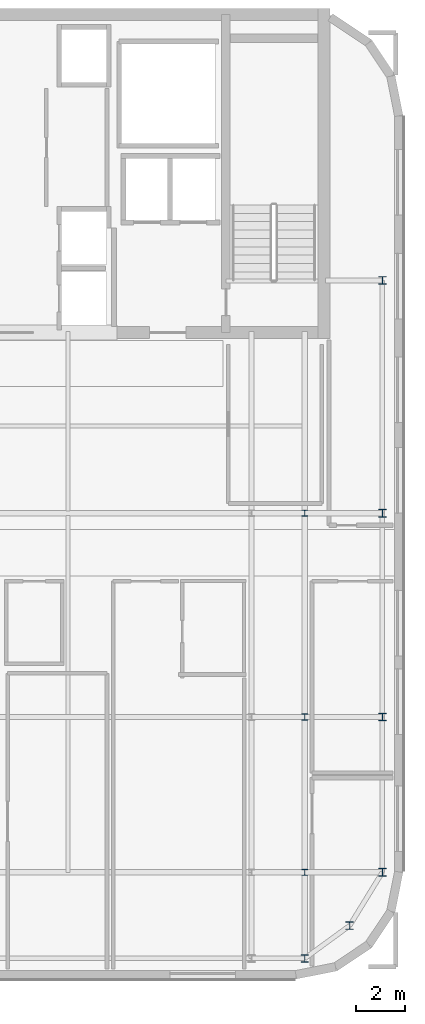
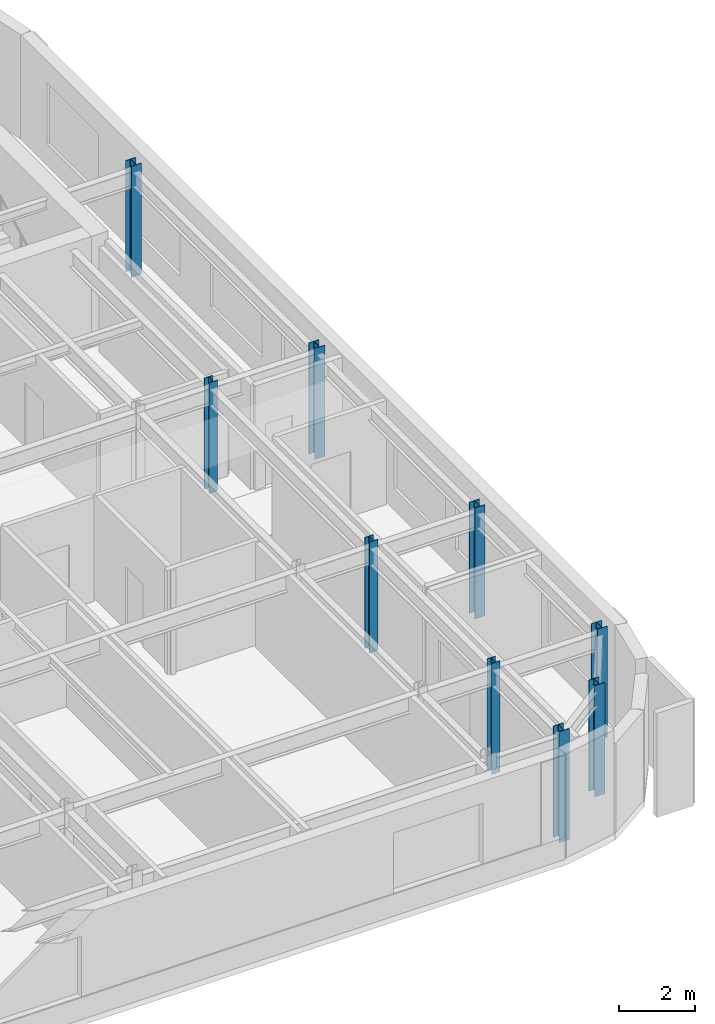
# One storey, part 3 of 15: 9 columns.
"""IFC4 building model written with IfcOpenShell, lengths in metres."""

from ifc_helpers import new_model, si_unit, direction, frame, origin, origin_2d, place, context, subcontext, project, spatial, i_section, extrude, source, transform, mapped, material, material_profile, profile_set, type_object, type_shapes, element, save


model = new_model("IFC4")

# Units and contexts
model_context = context("Model", 3, precision=1e-05, world=origin(), true_north=direction((0.0, 1.0)))
body_context = subcontext(model_context, "Body", "Model", "MODEL_VIEW")
ifc_project = project(units=[si_unit("LENGTHUNIT", "METRE"), si_unit("AREAUNIT", "SQUARE_METRE"), si_unit("VOLUMEUNIT", "CUBIC_METRE"), si_unit("PLANEANGLEUNIT", "RADIAN"), si_unit("MASSUNIT", "GRAM", prefix="KILO")], contexts=[model_context])

# Site, building, storey
site_placement = place(None, origin())
site = spatial("IfcSite", under=ifc_project, at=site_placement, CompositionType="ELEMENT")
building_placement = place(site_placement, origin())
building = spatial("IfcBuilding", under=site, at=building_placement, Name="Tolvann Quenvar Hotel", CompositionType="ELEMENT")
storey_placement = place(building_placement, frame((0.0, 0.0, 278.60009765625)))
storey = spatial("IfcBuildingStorey", under=building, at=storey_placement, Name="L74", CompositionType="ELEMENT", Elevation=278.60009765625)

# Columns
ifc_material = material(Name="Steel Grade 350", Category="steel")
ifc_material_profile_1 = material_profile(ifc_material, i_section(OverallWidth=0.306884765625, OverallDepth=0.31494140625, WebThickness=0.011962890625, FlangeThickness=0.018798828125, FilletRadius=0.0166015625, at=origin_2d()), Name="310UC118")
ifc_profile_set_1 = profile_set([ifc_material_profile_1], Name="Steel Grade 350")
column_type_1 = type_object("IfcColumnType", Name="COL_310UC118", PredefinedType="COLUMN", material=ifc_profile_set_1)
shared_shape_1 = source(origin(), body_context, "Body", "SweptSolid", [
    extrude(i_section(OverallWidth=0.306884765625, OverallDepth=0.31494140625, WebThickness=0.011962890625, FlangeThickness=0.018798828125, FilletRadius=0.0166015625, at=origin_2d()), origin(), (0.0, 0.0, 1.0), 3.5498046875),
])
type_shapes(column_type_1, [shared_shape_1])
for number, where, z_axis, x_axis, name in (
    (1, (34.949951171875, 6.050048828125, 0.0), (0.0, 0.0, 1.0), (1.0, 0.0, 0.0), "Column F2 (L74)"),
    (2, (36.800048828125, 7.39990234375, 0.0), (0.0, 0.0, 1.0), (1.0, 0.0, 0.0), "Column G2 (L74)"),
    (3, (38.14990234375, 9.60009765625, 0.0), (0.0, 0.0, 1.0), (1.0, 0.0, 0.0), "Column G3 (L74)"),
    (4, (38.14990234375, 16.0, 0.0), (0.0, 0.0, 1.0), (1.0, 0.0, 0.0), "Column G4 (L74)"),
    (5, (38.14990234375, 24.39990234375, 0.0), (0.0, 0.0, 1.0), (1.0, 0.0, 0.0), "Column G5 (L74)"),
    (6, (38.14990234375, 34.0, 0.0), (0.0, 0.0, 1.0), (1.0, 0.0, 0.0), "Column GD6 (L74)"),
):
    element("IfcColumn", number, at=place(storey_placement, frame(where, z_axis=z_axis, x_axis=x_axis)), inside=storey, type_object=column_type_1, Name=name, PredefinedType="COLUMN", context=body_context, shape_type="MappedRepresentation", body=[
        mapped(shared_shape_1, transform((0.0, 0.0, 0.0), x_axis=(1.0, 0.0, 0.0), y_axis=(0.0, 1.0, 0.0), z_axis=(0.0, 0.0, 1.0), scale=1.0)),
    ])
ifc_material_profile_2 = material_profile(ifc_material, i_section(OverallWidth=0.256103515625, OverallDepth=0.260009765625, WebThickness=0.010498046875, FlangeThickness=0.017333984375, FilletRadius=0.013916015625, at=origin_2d()), Name="250UC90")
ifc_profile_set_2 = profile_set([ifc_material_profile_2], Name="Steel Grade 350")
column_type_2 = type_object("IfcColumnType", Name="COL_250UC90", PredefinedType="COLUMN", material=ifc_profile_set_2)
shared_shape_2 = source(origin(), body_context, "Body", "SweptSolid", [
    extrude(i_section(OverallWidth=0.256103515625, OverallDepth=0.260009765625, WebThickness=0.010498046875, FlangeThickness=0.017333984375, FilletRadius=0.013916015625, at=origin_2d()), origin(), (0.0, 0.0, 1.0), 3.5498046875),
])
type_shapes(column_type_2, [shared_shape_2])
for number, where, z_axis, x_axis, name in (
    (7, (34.949951171875, 9.60009765625, 0.0), (0.0, 0.0, 1.0), (1.0, 0.0, 0.0), "Column F3 (L74)"),
    (8, (34.949951171875, 16.0, 0.0), (0.0, 0.0, 1.0), (1.0, 0.0, 0.0), "Column F4 (L74)"),
    (9, (34.949951171875, 24.39990234375, 0.0), (0.0, 0.0, 1.0), (1.0, 0.0, 0.0), "Column F5 (L74)"),
):
    element("IfcColumn", number, at=place(storey_placement, frame(where, z_axis=z_axis, x_axis=x_axis)), inside=storey, type_object=column_type_2, Name=name, PredefinedType="COLUMN", context=body_context, shape_type="MappedRepresentation", body=[
        mapped(shared_shape_2, transform((0.0, 0.0, 0.0), x_axis=(1.0, 0.0, 0.0), y_axis=(0.0, 1.0, 0.0), z_axis=(0.0, 0.0, 1.0), scale=1.0)),
    ])

save(model, "model.ifc")
